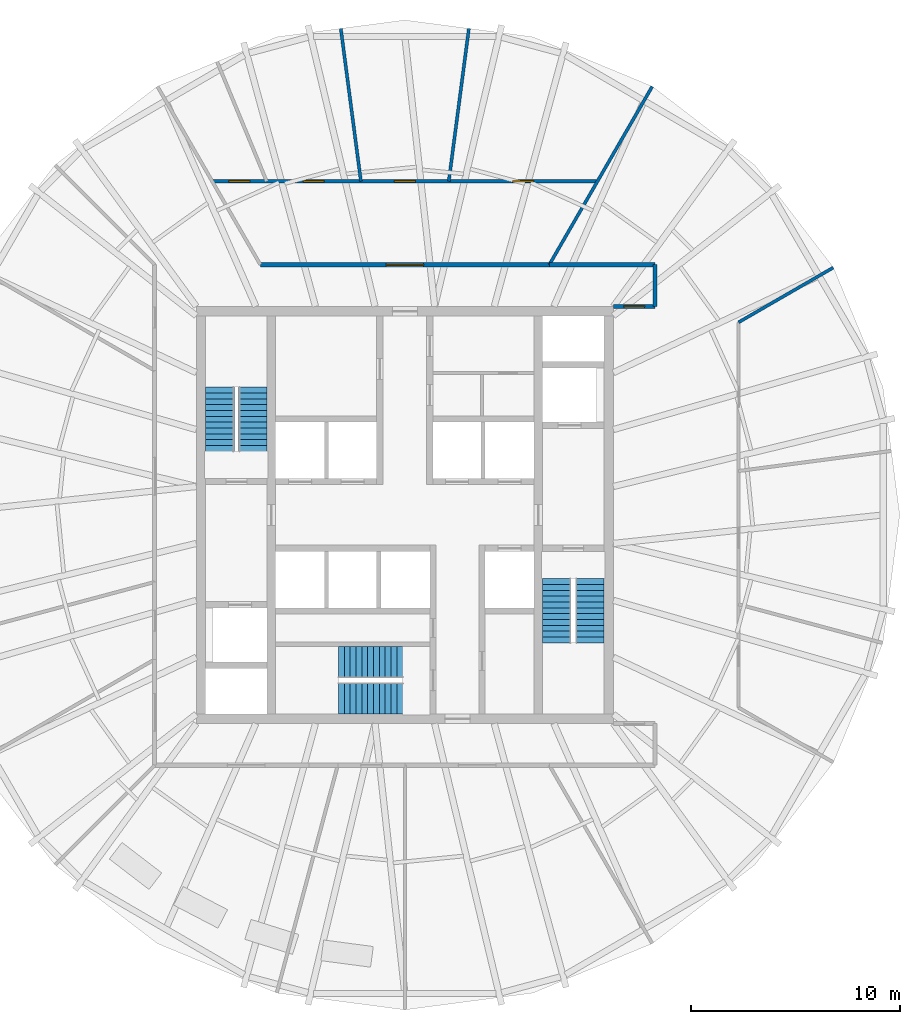
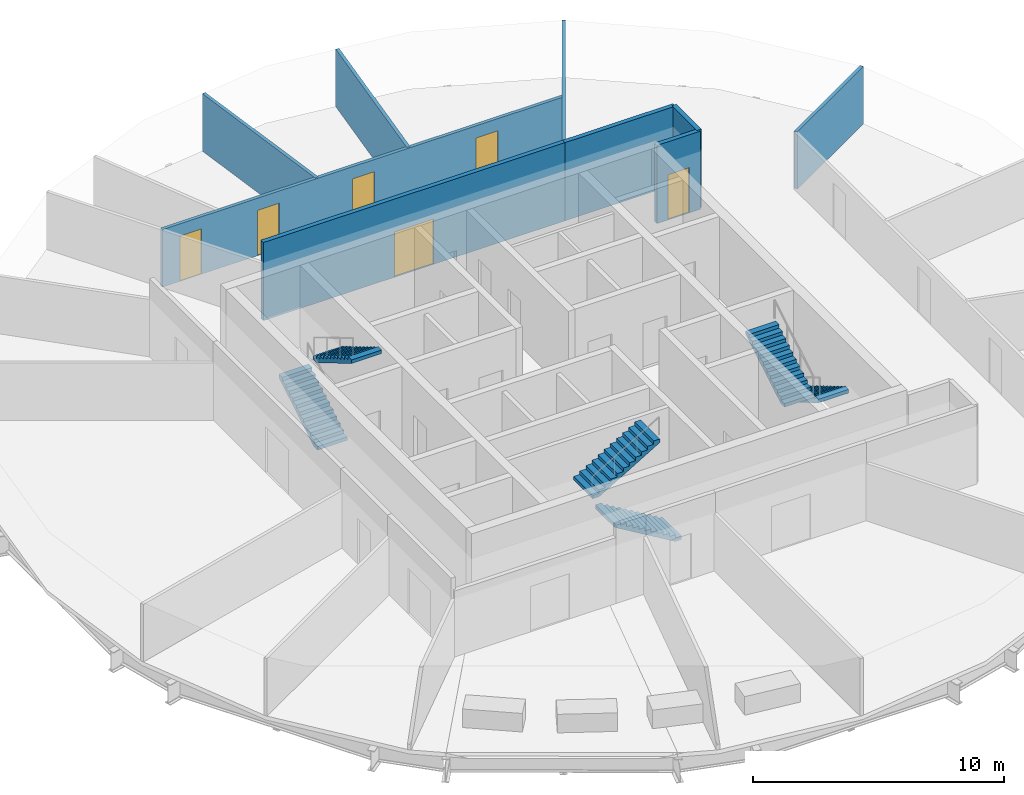
# One storey, part 5 of 7: 9 walls, 6 doors, 6 stair flights, 6 openings, 3 elements without a shape of their own.
"""IFC4 building model written with IfcOpenShell, lengths in metres."""

from ifc_helpers import new_model, si_unit, direction, frame, frame_2d, origin, place, context, subcontext, project, spatial, polyline, rectangle, outline, extrude, material, layer, layer_set, type_object, element, fill, aggregate, save


model = new_model("IFC4")

# Units and contexts
model_context = context("Model", 3, precision=1e-05, world=origin(), true_north=direction((0.0, 1.0)))
body_context = subcontext(model_context, "Body", "Model", "MODEL_VIEW")
ifc_project = project(units=[si_unit("LENGTHUNIT", "METRE"), si_unit("AREAUNIT", "SQUARE_METRE"), si_unit("VOLUMEUNIT", "CUBIC_METRE"), si_unit("PLANEANGLEUNIT", "RADIAN"), si_unit("MASSUNIT", "GRAM", prefix="KILO")], contexts=[model_context])

# Site, building, storey
site_placement = place(None, origin())
site = spatial("IfcSite", under=ifc_project, at=site_placement, CompositionType="ELEMENT")
building_placement = place(site_placement, origin())
building = spatial("IfcBuilding", under=site, at=building_placement, Name="Golbaran Civic Tower", CompositionType="ELEMENT")
storey_placement = place(building_placement, frame((0.0, 0.0, 195.0)))
storey = spatial("IfcBuildingStorey", under=building, at=storey_placement, Name="L47", CompositionType="ELEMENT", Elevation=195.0)

# Walls
ifc_material_1 = material(Name="Gypsum board on steel studs, fire-rated", Category="steel")
ifc_layer_1 = layer(ifc_material_1, 0.199951171875, Name="Gypsum board on steel studs, fire-rated")
ifc_layer_set_1 = layer_set([ifc_layer_1], Name="Gypsum board on steel studs, fire-rated")
wall_type_1 = type_object("IfcWallType", Name="CORRIDOR WALL 200", PredefinedType="PARTITIONING", material=ifc_layer_set_1)
wall_1_placement = place(storey_placement, frame((12.0, 10.0, 0.0), z_axis=(0.0, 0.0, 1.0), x_axis=(0.0, 1.0, 0.0)))
element("IfcWall", 1, at=wall_1_placement, inside=storey, type_object=wall_type_1, Name="Corridor wall L47", PredefinedType="PARTITIONING", context=body_context, shape_type="SweptSolid", body=[
    extrude(rectangle(XDim=2.0, YDim=0.199951171875, at=frame_2d((1.0, 0.0))), origin(), (0.0, 0.0, 1.0), 3.800048828125),
])
wall_2_placement = place(storey_placement, frame((12.0, 12.0, 0.0), z_axis=(0.0, 0.0, 1.0), x_axis=(-1.0, 0.0, 0.0)))
element("IfcWall", 2, at=wall_2_placement, inside=storey, type_object=wall_type_1, Name="Corridor wall L47", PredefinedType="PARTITIONING", context=body_context, shape_type="SweptSolid", body=[
    extrude(rectangle(XDim=5.07177734375, YDim=0.199951171875, at=frame_2d((2.535888671875, 0.0))), origin(), (0.0, 0.0, 1.0), 3.800048828125),
])

# Wall, opening, door
wall_3_placement = place(storey_placement, frame((6.92822265625, 12.0, 0.0), z_axis=(0.0, 0.0, 1.0), x_axis=(-1.0, 0.0, 0.0)))
wall_3 = element("IfcWall", 3, at=wall_3_placement, inside=storey, type_object=wall_type_1, Name="Corridor wall L47", PredefinedType="PARTITIONING", context=body_context, shape_type="SweptSolid", body=[
    extrude(rectangle(XDim=13.8564453125, YDim=0.199951171875, at=frame_2d((6.92822265625, 0.0))), origin(), (0.0, 0.0, 1.0), 3.800048828125),
])
opening_1_placement = place(wall_3_placement, frame((6.0283203125, 0.0, 0.0)))
opening_1 = element("IfcOpeningElement", 4, at=opening_1_placement, cuts=wall_3, Name="Opening L47.08", PredefinedType="OPENING", context=body_context, shape_type="SweptSolid", body=[
    extrude(rectangle(XDim=1.800048828125, YDim=2.199951171875, at=frame_2d((0.89990234375, 1.10009765625))), frame((0.0, 0.10986328125, 0.0), z_axis=(0.0, -1.0, 0.0), x_axis=(1.0, 0.0, 0.0)), (0.0, 0.0, 1.0), 0.219970703125),
])
ifc_material_2 = material(Name="Timber door set in steel frame", Category="steel")
door_type_1 = type_object("IfcDoorType", Name="OFFICE DOUBLE DOOR 1800x2200", OperationType="DOUBLE_DOOR_SINGLE_SWING", PredefinedType="DOOR", material=ifc_material_2)
door_1_placement = place(opening_1_placement, origin())
door_1 = element("IfcDoor", 5, at=door_1_placement, inside=storey, type_object=door_type_1, Name="Secretariat door L47", OperationType="DOUBLE_DOOR_SINGLE_SWING", OverallHeight=2.199951171875, OverallWidth=1.800048828125, PredefinedType="DOOR", context=body_context, shape_type="SweptSolid", body=[
    extrude(rectangle(XDim=1.800048828125, YDim=2.199951171875, at=frame_2d((0.89990234375, 1.10009765625))), frame((0.0, 0.02490234375, 0.0), z_axis=(0.0, -1.0, 0.0), x_axis=(1.0, 0.0, 0.0)), (0.0, 0.0, 1.0), 0.050048828125),
])
fill(opening_1, door_1)

wall_4_placement = place(storey_placement, frame((10.0, 10.0, 0.0), z_axis=(0.0, 0.0, 1.0), x_axis=(1.0, 0.0, 0.0)))
wall_4 = element("IfcWall", 6, at=wall_4_placement, inside=storey, type_object=wall_type_1, Name="Corridor end wall L47", PredefinedType="PARTITIONING", context=body_context, shape_type="SweptSolid", body=[
    extrude(rectangle(XDim=2.0, YDim=0.199951171875, at=frame_2d((1.0, 0.0))), origin(), (0.0, 0.0, 1.0), 3.800048828125),
])
opening_2_placement = place(wall_4_placement, frame((0.5, 0.0, 0.0)))
opening_2 = element("IfcOpeningElement", 7, at=opening_2_placement, cuts=wall_4, Name="Opening L47.16", PredefinedType="OPENING", context=body_context, shape_type="SweptSolid", body=[
    extrude(rectangle(XDim=1.0, YDim=2.199951171875, at=frame_2d((0.5, 1.10009765625))), frame((0.0, 0.10986328125, 0.0), z_axis=(0.0, -1.0, 0.0), x_axis=(1.0, 0.0, 0.0)), (0.0, 0.0, 1.0), 0.219970703125),
])
door_type_2 = type_object("IfcDoorType", Name="OFFICE DOOR 1000x2200", OperationType="SINGLE_SWING_LEFT", PredefinedType="DOOR", material=ifc_material_2)
door_2_placement = place(opening_2_placement, origin())
door_2 = element("IfcDoor", 8, at=door_2_placement, inside=storey, type_object=door_type_2, Name="Open Office door L47", OperationType="SINGLE_SWING_LEFT", OverallHeight=2.199951171875, OverallWidth=1.0, PredefinedType="DOOR", context=body_context, shape_type="SweptSolid", body=[
    extrude(rectangle(XDim=1.0, YDim=2.199951171875, at=frame_2d((0.5, 1.10009765625))), frame((0.0, 0.02490234375, 0.0), z_axis=(0.0, -1.0, 0.0), x_axis=(1.0, 0.0, 0.0)), (0.0, 0.0, 1.0), 0.050048828125),
])
fill(opening_2, door_2)

# Walls
ifc_material_3 = material(Name="Gypsum board on steel studs", Category="steel")
ifc_layer_2 = layer(ifc_material_3, 0.14990234375, Name="Gypsum board on steel studs")
ifc_layer_set_2 = layer_set([ifc_layer_2], Name="Gypsum board on steel studs")
wall_type_2 = type_object("IfcWallType", Name="OFFICE PARTITION 150", PredefinedType="PARTITIONING", material=ifc_layer_set_2)
wall_5_placement = place(storey_placement, frame((6.92822265625, 12.0, 0.0), z_axis=(0.0, 0.0, 1.0), x_axis=(0.49999595416, 0.866027739639, 0.0)))
element("IfcWall", 9, at=wall_5_placement, inside=storey, type_object=wall_type_2, Name="Partition 60 L47", PredefinedType="PARTITIONING", context=body_context, shape_type="SweptSolid", body=[
    extrude(rectangle(XDim=9.86474609375, YDim=0.14990234375, at=frame_2d((4.932373046875, 0.0))), origin(), (0.0, 0.0, 1.0), 2.7900390625),
])
wall_6_placement = place(storey_placement, frame((16.0, 9.237548828125, 0.0), z_axis=(0.0, 0.0, 1.0), x_axis=(0.866023613507, 0.500003100839, 0.0)))
element("IfcWall", 10, at=wall_6_placement, inside=storey, type_object=wall_type_2, Name="Suite side partition L47", PredefinedType="PARTITIONING", context=body_context, shape_type="SweptSolid", body=[
    extrude(rectangle(XDim=5.24609375, YDim=0.14990234375, at=frame_2d((2.623046875, 0.0))), origin(), (0.0, 0.0, 1.0), 2.7900390625),
])

# Wall, openings, doors
wall_7_placement = place(storey_placement, frame((9.237548828125, 16.0, 0.0), z_axis=(0.0, 0.0, 1.0), x_axis=(-1.0, 0.0, 0.0)))
wall_7 = element("IfcWall", 11, at=wall_7_placement, inside=storey, type_object=wall_type_2, Name="Suite partition L47", PredefinedType="PARTITIONING", context=body_context, shape_type="SweptSolid", body=[
    extrude(rectangle(XDim=18.47509765625, YDim=0.14990234375, at=frame_2d((9.237548828125, 0.0))), origin(), (0.0, 0.0, 1.0), 2.7900390625),
])
opening_3_placement = place(wall_7_placement, frame((3.065673828125, 0.0, 0.0)))
opening_3 = element("IfcOpeningElement", 12, at=opening_3_placement, cuts=wall_7, Name="Opening L47.04", PredefinedType="OPENING", context=body_context, shape_type="SweptSolid", body=[
    extrude(rectangle(XDim=1.0, YDim=2.199951171875, at=frame_2d((0.5, 1.10009765625))), frame((0.0, 0.0849609375, 0.0), z_axis=(0.0, -1.0, 0.0), x_axis=(1.0, 0.0, 0.0)), (0.0, 0.0, 1.0), 0.169921875),
])
opening_4_placement = place(wall_7_placement, frame((8.737548828125, 0.0, 0.0)))
opening_4 = element("IfcOpeningElement", 13, at=opening_4_placement, cuts=wall_7, Name="Opening L47.05", PredefinedType="OPENING", context=body_context, shape_type="SweptSolid", body=[
    extrude(rectangle(XDim=1.0, YDim=2.199951171875, at=frame_2d((0.5, 1.10009765625))), frame((0.0, 0.0849609375, 0.0), z_axis=(0.0, -1.0, 0.0), x_axis=(1.0, 0.0, 0.0)), (0.0, 0.0, 1.0), 0.169921875),
])
opening_5_placement = place(wall_7_placement, frame((13.1044921875, 0.0, 0.0)))
opening_5 = element("IfcOpeningElement", 14, at=opening_5_placement, cuts=wall_7, Name="Opening L47.06", PredefinedType="OPENING", context=body_context, shape_type="SweptSolid", body=[
    extrude(rectangle(XDim=1.0, YDim=2.199951171875, at=frame_2d((0.5, 1.10009765625))), frame((0.0, 0.0849609375, 0.0), z_axis=(0.0, -1.0, 0.0), x_axis=(1.0, 0.0, 0.0)), (0.0, 0.0, 1.0), 0.169921875),
])
opening_6_placement = place(wall_7_placement, frame((16.670166015625, 0.0, 0.0)))
opening_6 = element("IfcOpeningElement", 15, at=opening_6_placement, cuts=wall_7, Name="Opening L47.07", PredefinedType="OPENING", context=body_context, shape_type="SweptSolid", body=[
    extrude(rectangle(XDim=1.0, YDim=2.199951171875, at=frame_2d((0.5, 1.10009765625))), frame((0.0, 0.0849609375, 0.0), z_axis=(0.0, -1.0, 0.0), x_axis=(1.0, 0.0, 0.0)), (0.0, 0.0, 1.0), 0.169921875),
])
door_3_placement = place(opening_3_placement, origin())
door_3 = element("IfcDoor", 16, at=door_3_placement, inside=storey, type_object=door_type_2, Name="Office door L47", OperationType="SINGLE_SWING_LEFT", OverallHeight=2.199951171875, OverallWidth=1.0, PredefinedType="DOOR", context=body_context, shape_type="SweptSolid", body=[
    extrude(rectangle(XDim=1.0, YDim=2.199951171875, at=frame_2d((0.5, 1.10009765625))), frame((0.0, 0.02490234375, 0.0), z_axis=(0.0, -1.0, 0.0), x_axis=(1.0, 0.0, 0.0)), (0.0, 0.0, 1.0), 0.050048828125),
])
fill(opening_3, door_3)
door_4_placement = place(opening_4_placement, origin())
door_4 = element("IfcDoor", 17, at=door_4_placement, inside=storey, type_object=door_type_2, Name="Office door L47", OperationType="SINGLE_SWING_RIGHT", OverallHeight=2.199951171875, OverallWidth=1.0, PredefinedType="DOOR", context=body_context, shape_type="SweptSolid", body=[
    extrude(rectangle(XDim=1.0, YDim=2.199951171875, at=frame_2d((0.5, 1.10009765625))), frame((0.0, 0.02490234375, 0.0), z_axis=(0.0, -1.0, 0.0), x_axis=(1.0, 0.0, 0.0)), (0.0, 0.0, 1.0), 0.050048828125),
])
fill(opening_4, door_4)
door_5_placement = place(opening_5_placement, origin())
door_5 = element("IfcDoor", 18, at=door_5_placement, inside=storey, type_object=door_type_2, Name="Director's Office door L47", OperationType="SINGLE_SWING_RIGHT", OverallHeight=2.199951171875, OverallWidth=1.0, PredefinedType="DOOR", context=body_context, shape_type="SweptSolid", body=[
    extrude(rectangle(XDim=1.0, YDim=2.199951171875, at=frame_2d((0.5, 1.10009765625))), frame((0.0, 0.02490234375, 0.0), z_axis=(0.0, -1.0, 0.0), x_axis=(1.0, 0.0, 0.0)), (0.0, 0.0, 1.0), 0.050048828125),
])
fill(opening_5, door_5)
door_6_placement = place(opening_6_placement, origin())
door_6 = element("IfcDoor", 19, at=door_6_placement, inside=storey, type_object=door_type_2, Name="Office door L47", OperationType="SINGLE_SWING_RIGHT", OverallHeight=2.199951171875, OverallWidth=1.0, PredefinedType="DOOR", context=body_context, shape_type="SweptSolid", body=[
    extrude(rectangle(XDim=1.0, YDim=2.199951171875, at=frame_2d((0.5, 1.10009765625))), frame((0.0, 0.02490234375, 0.0), z_axis=(0.0, -1.0, 0.0), x_axis=(1.0, 0.0, 0.0)), (0.0, 0.0, 1.0), 0.050048828125),
])
fill(opening_6, door_6)

# Walls
for number, where, z_axis, x_axis, name in (
    (20, (2.1064453125, 16.0, 0.0), (0.0, 0.0, 1.0), (0.130534093561, 0.991443821111, 0.0), "Partition 82.5 L47"),
    (21, (-2.1064453125, 16.0, 0.0), (0.0, 0.0, 1.0), (-0.130534093561, 0.991443821111, 0.0), "Partition 97.5 L47"),
):
    element("IfcWall", number, at=place(storey_placement, frame(where, z_axis=z_axis, x_axis=x_axis)), inside=storey, type_object=wall_type_2, Name=name, PredefinedType="PARTITIONING", context=body_context, shape_type="SweptSolid", body=[
        extrude(rectangle(XDim=7.38037109375, YDim=0.14990234375, at=frame_2d((3.690185546875, 0.0))), origin(), (0.0, 0.0, 1.0), 2.7900390625),
    ])

# Stair, stair flights
ifc_material_4 = material(Name="Concrete C35/45", Category="concrete")
stair_type_1 = type_object("IfcStairType", Name="EXIT STAIR 2950 x 7800, 4000 RISE", PredefinedType="HALF_TURN_STAIR", material=ifc_material_4)
stair_1_placement = place(storey_placement, origin())
stair_1 = element("IfcStair", 22, at=stair_1_placement, inside=storey, type_object=stair_type_1, Name="Stair S1 L47", PredefinedType="HALF_TURN_STAIR")
stair_flight_type_1 = type_object("IfcStairFlightType", Name="STAIR FLIGHT 1375 WIDE", PredefinedType="STRAIGHT", material=ifc_material_4)
stair_flight_1_placement = place(storey_placement, frame((-8.862548828125, 3.050048828125, 0.0), z_axis=(0.0, 0.0, 1.0), x_axis=(0.0, 1.0, 0.0)))
stair_flight_1 = element("IfcStairFlight", 23, at=stair_flight_1_placement, type_object=stair_flight_type_1, Name="ST29578-40 flight 1", NumberOfRisers=12, NumberOfTreads=11, PredefinedType="STRAIGHT", RiserHeight=0.166666667, TreadLength=0.28, context=body_context, shape_type="SweptSolid", body=[
    extrude(outline(polyline([(0.0, 0.0), (0.0, 0.166748046875), (0.280029296875, 0.166748046875), (0.280029296875, 0.333251953125), (0.56005859375, 0.333251953125), (0.56005859375, 0.5), (0.840087890625, 0.5), (0.840087890625, 0.666748046875), (1.1201171875, 0.666748046875), (1.1201171875, 0.833251953125), (1.39990234375, 0.833251953125), (1.39990234375, 1.0), (1.679931640625, 1.0), (1.679931640625, 1.166748046875), (1.9599609375, 1.166748046875), (1.9599609375, 1.333251953125), (2.239990234375, 1.333251953125), (2.239990234375, 1.5), (2.52001953125, 1.5), (2.52001953125, 1.666748046875), (2.800048828125, 1.666748046875), (2.800048828125, 1.833251953125), (3.080078125, 1.833251953125), (3.080078125, 2.0), (3.080078125, 1.658935546875), (0.29296875, 0.0), (0.0, 0.0)])), frame((0.0, 0.6875, 0.0), z_axis=(0.0, -1.0, 0.0), x_axis=(1.0, 0.0, 0.0)), (0.0, 0.0, 1.0), 1.375),
])
stair_flight_2_placement = place(storey_placement, frame((-7.28759765625, 6.1298828125, 2.0), z_axis=(0.0, 0.0, 1.0), x_axis=(0.0, -1.0, 0.0)))
stair_flight_2 = element("IfcStairFlight", 24, at=stair_flight_2_placement, type_object=stair_flight_type_1, Name="ST29578-40 flight 2", NumberOfRisers=12, NumberOfTreads=11, PredefinedType="STRAIGHT", RiserHeight=0.166666667, TreadLength=0.28, context=body_context, shape_type="SweptSolid", body=[
    extrude(outline(polyline([(0.0, 0.0), (0.0, 0.166748046875), (0.280029296875, 0.166748046875), (0.280029296875, 0.333251953125), (0.56005859375, 0.333251953125), (0.56005859375, 0.5), (0.840087890625, 0.5), (0.840087890625, 0.666748046875), (1.1201171875, 0.666748046875), (1.1201171875, 0.833251953125), (1.39990234375, 0.833251953125), (1.39990234375, 1.0), (1.679931640625, 1.0), (1.679931640625, 1.166748046875), (1.9599609375, 1.166748046875), (1.9599609375, 1.333251953125), (2.239990234375, 1.333251953125), (2.239990234375, 1.5), (2.52001953125, 1.5), (2.52001953125, 1.666748046875), (2.800048828125, 1.666748046875), (2.800048828125, 1.833251953125), (3.080078125, 1.833251953125), (3.080078125, 2.0), (3.080078125, 1.658935546875), (0.29296875, 0.0), (0.0, 0.0)])), frame((0.0, 0.6875, 0.0), z_axis=(0.0, -1.0, 0.0), x_axis=(1.0, 0.0, 0.0)), (0.0, 0.0, 1.0), 1.375),
])
aggregate(stair_1, [stair_flight_1, stair_flight_2])

stair_2_placement = place(storey_placement, origin())
stair_2 = element("IfcStair", 25, at=stair_2_placement, inside=storey, type_object=stair_type_1, Name="Stair S2 L47", PredefinedType="HALF_TURN_STAIR")
stair_flight_3_placement = place(storey_placement, frame((8.862548828125, -3.050048828125, 0.0), z_axis=(0.0, 0.0, 1.0), x_axis=(0.0, -1.0, 0.0)))
stair_flight_3 = element("IfcStairFlight", 26, at=stair_flight_3_placement, type_object=stair_flight_type_1, Name="ST29578-40 flight 1", NumberOfRisers=12, NumberOfTreads=11, PredefinedType="STRAIGHT", RiserHeight=0.166666667, TreadLength=0.28, context=body_context, shape_type="SweptSolid", body=[
    extrude(outline(polyline([(0.0, 0.0), (0.0, 0.166748046875), (0.280029296875, 0.166748046875), (0.280029296875, 0.333251953125), (0.56005859375, 0.333251953125), (0.56005859375, 0.5), (0.840087890625, 0.5), (0.840087890625, 0.666748046875), (1.1201171875, 0.666748046875), (1.1201171875, 0.833251953125), (1.39990234375, 0.833251953125), (1.39990234375, 1.0), (1.679931640625, 1.0), (1.679931640625, 1.166748046875), (1.9599609375, 1.166748046875), (1.9599609375, 1.333251953125), (2.239990234375, 1.333251953125), (2.239990234375, 1.5), (2.52001953125, 1.5), (2.52001953125, 1.666748046875), (2.800048828125, 1.666748046875), (2.800048828125, 1.833251953125), (3.080078125, 1.833251953125), (3.080078125, 2.0), (3.080078125, 1.658935546875), (0.29296875, 0.0), (0.0, 0.0)])), frame((0.0, 0.6875, 0.0), z_axis=(0.0, -1.0, 0.0), x_axis=(1.0, 0.0, 0.0)), (0.0, 0.0, 1.0), 1.375),
])
stair_flight_4_placement = place(storey_placement, frame((7.28759765625, -6.1298828125, 2.0), z_axis=(0.0, 0.0, 1.0), x_axis=(0.0, 1.0, 0.0)))
stair_flight_4 = element("IfcStairFlight", 27, at=stair_flight_4_placement, type_object=stair_flight_type_1, Name="ST29578-40 flight 2", NumberOfRisers=12, NumberOfTreads=11, PredefinedType="STRAIGHT", RiserHeight=0.166666667, TreadLength=0.28, context=body_context, shape_type="SweptSolid", body=[
    extrude(outline(polyline([(0.0, 0.0), (0.0, 0.166748046875), (0.280029296875, 0.166748046875), (0.280029296875, 0.333251953125), (0.56005859375, 0.333251953125), (0.56005859375, 0.5), (0.840087890625, 0.5), (0.840087890625, 0.666748046875), (1.1201171875, 0.666748046875), (1.1201171875, 0.833251953125), (1.39990234375, 0.833251953125), (1.39990234375, 1.0), (1.679931640625, 1.0), (1.679931640625, 1.166748046875), (1.9599609375, 1.166748046875), (1.9599609375, 1.333251953125), (2.239990234375, 1.333251953125), (2.239990234375, 1.5), (2.52001953125, 1.5), (2.52001953125, 1.666748046875), (2.800048828125, 1.666748046875), (2.800048828125, 1.833251953125), (3.080078125, 1.833251953125), (3.080078125, 2.0), (3.080078125, 1.658935546875), (0.29296875, 0.0), (0.0, 0.0)])), frame((0.0, 0.6875, 0.0), z_axis=(0.0, -1.0, 0.0), x_axis=(1.0, 0.0, 0.0)), (0.0, 0.0, 1.0), 1.375),
])
aggregate(stair_2, [stair_flight_3, stair_flight_4])

stair_type_2 = type_object("IfcStairType", Name="EXIT STAIR 3250 x 7400, 4000 RISE", PredefinedType="HALF_TURN_STAIR", material=ifc_material_4)
stair_3_placement = place(storey_placement, origin())
stair_3 = element("IfcStair", 28, at=stair_3_placement, inside=storey, type_object=stair_type_2, Name="Stair S3 L47", PredefinedType="HALF_TURN_STAIR")
stair_flight_type_2 = type_object("IfcStairFlightType", Name="STAIR FLIGHT 1525 WIDE", PredefinedType="STRAIGHT", material=ifc_material_4)
stair_flight_5_placement = place(storey_placement, frame((-0.10009765625, -8.78759765625, 0.0), z_axis=(0.0, 0.0, 1.0), x_axis=(-1.0, 0.0, 0.0)))
stair_flight_5 = element("IfcStairFlight", 29, at=stair_flight_5_placement, type_object=stair_flight_type_2, Name="ST32574-40 flight 1", NumberOfRisers=12, NumberOfTreads=11, PredefinedType="STRAIGHT", RiserHeight=0.166666667, TreadLength=0.28, context=body_context, shape_type="SweptSolid", body=[
    extrude(outline(polyline([(0.0, 0.0), (0.0, 0.166748046875), (0.280029296875, 0.166748046875), (0.280029296875, 0.333251953125), (0.56005859375, 0.333251953125), (0.56005859375, 0.5), (0.840087890625, 0.5), (0.840087890625, 0.666748046875), (1.1201171875, 0.666748046875), (1.1201171875, 0.833251953125), (1.39990234375, 0.833251953125), (1.39990234375, 1.0), (1.679931640625, 1.0), (1.679931640625, 1.166748046875), (1.9599609375, 1.166748046875), (1.9599609375, 1.333251953125), (2.239990234375, 1.333251953125), (2.239990234375, 1.5), (2.52001953125, 1.5), (2.52001953125, 1.666748046875), (2.800048828125, 1.666748046875), (2.800048828125, 1.833251953125), (3.080078125, 1.833251953125), (3.080078125, 2.0), (3.080078125, 1.658935546875), (0.29296875, 0.0), (0.0, 0.0)])), frame((0.0, 0.762451171875, 0.0), z_axis=(0.0, -1.0, 0.0), x_axis=(1.0, 0.0, 0.0)), (0.0, 0.0, 1.0), 1.52490234375),
])
stair_flight_6_placement = place(storey_placement, frame((-3.179931640625, -7.0625, 2.0), z_axis=(0.0, 0.0, 1.0), x_axis=(1.0, 0.0, 0.0)))
stair_flight_6 = element("IfcStairFlight", 30, at=stair_flight_6_placement, type_object=stair_flight_type_2, Name="ST32574-40 flight 2", NumberOfRisers=12, NumberOfTreads=11, PredefinedType="STRAIGHT", RiserHeight=0.166666667, TreadLength=0.28, context=body_context, shape_type="SweptSolid", body=[
    extrude(outline(polyline([(0.0, 0.0), (0.0, 0.166748046875), (0.280029296875, 0.166748046875), (0.280029296875, 0.333251953125), (0.56005859375, 0.333251953125), (0.56005859375, 0.5), (0.840087890625, 0.5), (0.840087890625, 0.666748046875), (1.1201171875, 0.666748046875), (1.1201171875, 0.833251953125), (1.39990234375, 0.833251953125), (1.39990234375, 1.0), (1.679931640625, 1.0), (1.679931640625, 1.166748046875), (1.9599609375, 1.166748046875), (1.9599609375, 1.333251953125), (2.239990234375, 1.333251953125), (2.239990234375, 1.5), (2.52001953125, 1.5), (2.52001953125, 1.666748046875), (2.800048828125, 1.666748046875), (2.800048828125, 1.833251953125), (3.080078125, 1.833251953125), (3.080078125, 2.0), (3.080078125, 1.658935546875), (0.29296875, 0.0), (0.0, 0.0)])), frame((0.0, 0.762451171875, 0.0), z_axis=(0.0, -1.0, 0.0), x_axis=(1.0, 0.0, 0.0)), (0.0, 0.0, 1.0), 1.52490234375),
])
aggregate(stair_3, [stair_flight_5, stair_flight_6])

save(model, "model.ifc")
